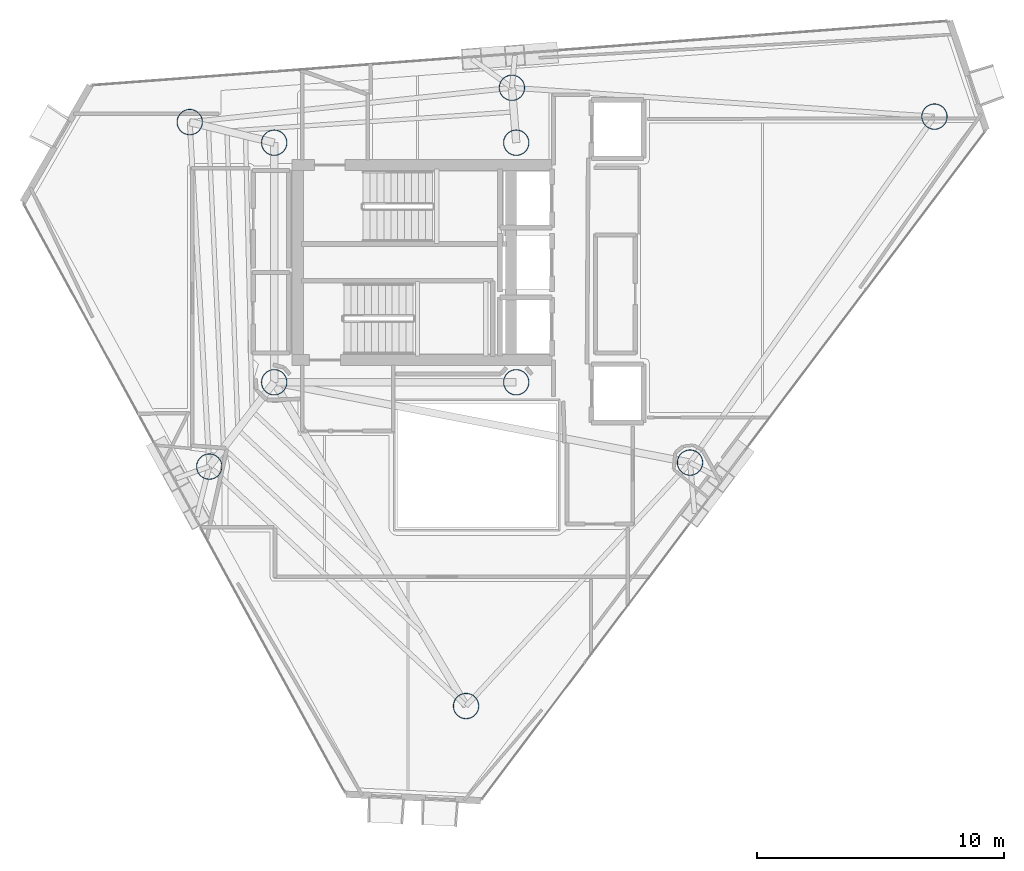
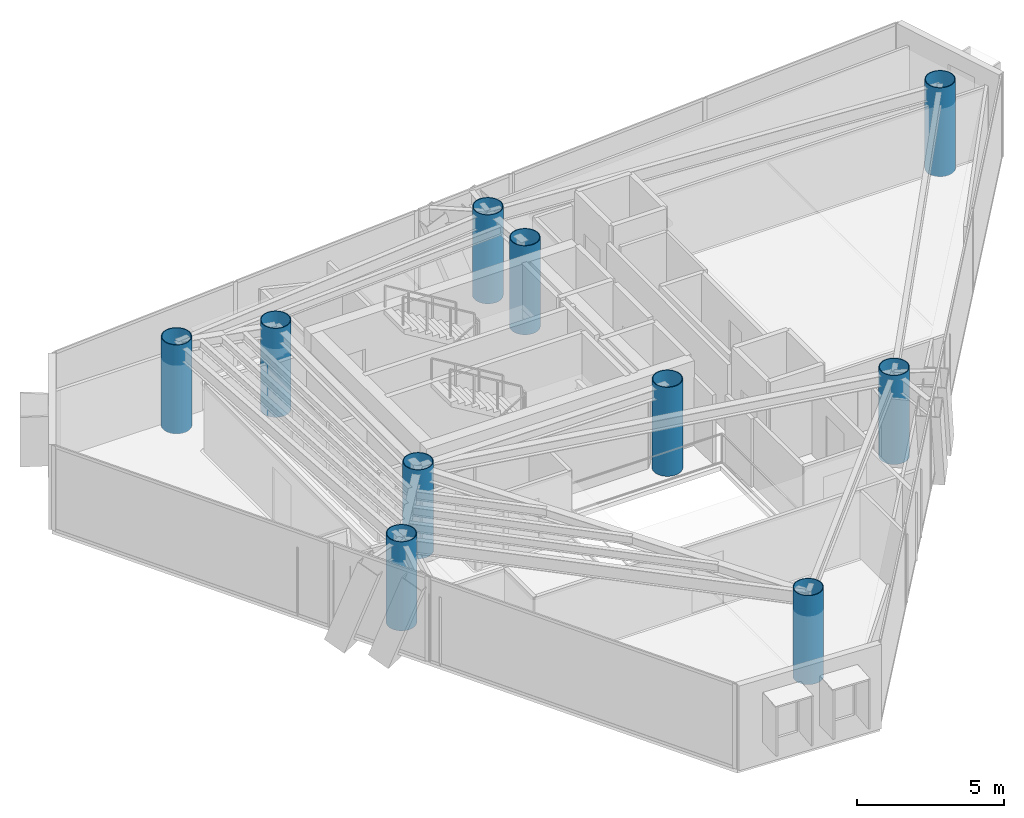
# One storey, part 1 of 19: 10 columns.
"""IFC4 building model written with IfcOpenShell, lengths in metres."""

from ifc_helpers import new_model, si_unit, direction, frame, origin, origin_2d, place, context, subcontext, project, spatial, hollow_circle, extrude, material, material_profile, profile_set, type_object, element, save


model = new_model("IFC4")

# Units and contexts
model_context = context("Model", 3, precision=1e-05, world=origin(), true_north=direction((0.0, 1.0)))
body_context = subcontext(model_context, "Body", "Model", "MODEL_VIEW")
ifc_project = project(units=[si_unit("LENGTHUNIT", "METRE"), si_unit("AREAUNIT", "SQUARE_METRE"), si_unit("VOLUMEUNIT", "CUBIC_METRE"), si_unit("PLANEANGLEUNIT", "RADIAN"), si_unit("MASSUNIT", "GRAM", prefix="KILO")], contexts=[model_context])

# Site, building, storey
site_placement = place(None, origin())
site = spatial("IfcSite", under=ifc_project, at=site_placement, CompositionType="ELEMENT")
building_placement = place(site_placement, origin())
building = spatial("IfcBuilding", under=site, at=building_placement, Name="Qianvela Tower", CompositionType="ELEMENT")
storey_placement = place(building_placement, frame((0.0, 0.0, 268.60009765625)))
storey = spatial("IfcBuildingStorey", under=building, at=storey_placement, Name="L69", CompositionType="ELEMENT", Elevation=268.60009765625)

# Columns
ifc_material = material(Name="Steel Q420GJC", Category="steel")
ifc_material_profile = material_profile(ifc_material, hollow_circle(Radius=0.52490234375, WallThickness=0.028076171875, at=origin_2d()), Name="CFT-1050x28")
ifc_profile_set = profile_set([ifc_material_profile], Name="Steel Q420GJC")
column_type = type_object("IfcColumnType", Name="COL-CFT-1050x28", PredefinedType="COLUMN", material=ifc_profile_set)
for number, where, z_axis, x_axis, name in (
    (1, (28.60009765625, 33.550048828125, 0.0), (0.0, 0.0, 1.0), (1.0, 0.0, 0.0), "L69 Core Corner Mega-Column CC-NW"),
    (2, (28.60009765625, 23.85009765625, 0.0), (0.0, 0.0, 1.0), (1.0, 0.0, 0.0), "L69 Core Corner Mega-Column CC-SW"),
    (3, (38.39990234375, 33.550048828125, 0.0), (0.0, 0.0, 1.0), (1.0, 0.0, 0.0), "L69 Core Corner Mega-Column CC-NE"),
    (4, (38.39990234375, 23.85009765625, 0.0), (0.0, 0.0, 1.0), (1.0, 0.0, 0.0), "L69 Core Corner Mega-Column CC-SE"),
    (5, (55.33203125, 34.60498046875, 0.0), (0.0, 0.0, 1.0), (1.0, 0.0, 0.0), "L69 Zone Z6 CFT Mega-Column C1"),
    (6, (38.22509765625, 35.77294921875, 0.0), (0.0, 0.0, 1.0), (1.0, 0.0, 0.0), "L69 Zone Z6 CFT Mega-Column C2"),
    (7, (25.181884765625, 34.384033203125, 0.0), (0.0, 0.0, 1.0), (1.0, 0.0, 0.0), "L69 Zone Z6 CFT Mega-Column C3"),
    (8, (25.971923828125, 20.43701171875, 0.0), (0.0, 0.0, 1.0), (1.0, 0.0, 0.0), "L69 Zone Z6 CFT Mega-Column C4"),
    (9, (36.368896484375, 10.741943359375, 0.0), (0.0, 0.0, 1.0), (1.0, 0.0, 0.0), "L69 Zone Z6 CFT Mega-Column C5"),
    (10, (45.43603515625, 20.597900390625, 0.0), (0.0, 0.0, 1.0), (1.0, 0.0, 0.0), "L69 Zone Z6 CFT Mega-Column C6"),
):
    element("IfcColumn", number, at=place(storey_placement, frame(where, z_axis=z_axis, x_axis=x_axis)), inside=storey, type_object=column_type, Name=name, PredefinedType="COLUMN", context=body_context, shape_type="SweptSolid", body=[
        extrude(hollow_circle(Radius=0.52490234375, WallThickness=0.028076171875, at=origin_2d()), origin(), (0.0, 0.0, 1.0), 3.699951171875),
    ])

save(model, "model.ifc")
